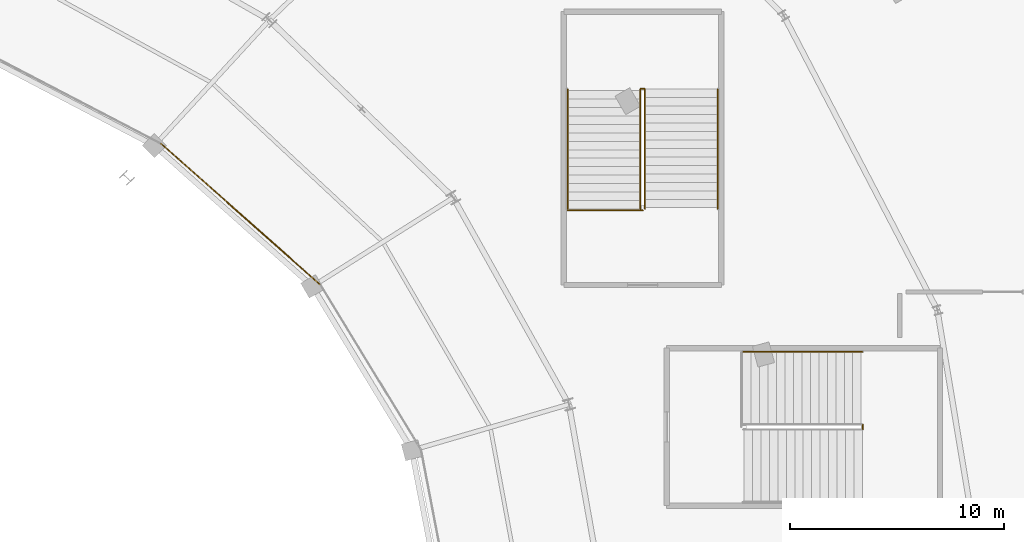
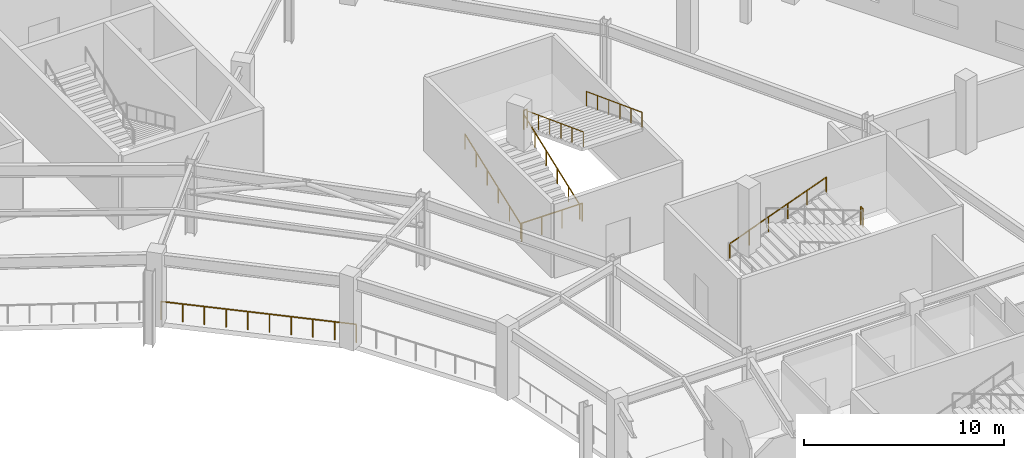
# One storey, part 106 of 107: 9 railings.
"""IFC4 building model written with IfcOpenShell, lengths in metres."""

from ifc_helpers import new_model, si_unit, direction, frame, origin, origin_2d, place, context, subcontext, project, spatial, circle, extrude, material, type_object, element, save


model = new_model("IFC4")

# Units and contexts
model_context = context("Model", 3, precision=1e-05, world=origin(), true_north=direction((0.0, 1.0)))
body_context = subcontext(model_context, "Body", "Model", "MODEL_VIEW")
ifc_project = project(units=[si_unit("LENGTHUNIT", "METRE"), si_unit("AREAUNIT", "SQUARE_METRE"), si_unit("VOLUMEUNIT", "CUBIC_METRE"), si_unit("PLANEANGLEUNIT", "RADIAN"), si_unit("MASSUNIT", "GRAM", prefix="KILO")], contexts=[model_context])

# Site, building, storey
site_placement = place(None, origin())
site = spatial("IfcSite", under=ifc_project, at=site_placement, CompositionType="ELEMENT")
building_placement = place(site_placement, origin())
building = spatial("IfcBuilding", under=site, at=building_placement, Name="Kalgoora Escarpment Arena", CompositionType="ELEMENT")
storey_placement = place(building_placement, frame((0.0, 0.0, 5.39990234375)))
storey = spatial("IfcBuildingStorey", under=building, at=storey_placement, Name="L01", CompositionType="ELEMENT", Elevation=5.39990234375)

# Railings
ifc_material_1 = material(Name="Galvanised & powdercoated tubular steel", Category="steel")
railing_type_1 = type_object("IfcRailingType", Name="RAL-GUARD-1120", PredefinedType="GUARDRAIL", material=ifc_material_1)
railing_1_placement = place(storey_placement, frame((158.280029296875, 73.405029296875, 2.25)))
element("IfcRailing", 1, at=railing_1_placement, inside=storey, type_object=railing_type_1, Name="ST21 L01 half-landing well guard", PredefinedType="GUARDRAIL", context=body_context, shape_type="SweptSolid", body=[
    extrude(circle(Radius=0.02392578125, at=origin_2d()), frame((0.0, 0.0, 1.09619140625), z_axis=(0.0, -1.0, 0.0), x_axis=(1.0, 0.0, 0.0)), (0.0, 0.0, 1.0), 0.2099609375),
    extrude(circle(Radius=0.02099609375, at=origin_2d()), origin(), (0.0, 0.0, 1.0), 1.072021484375),
    extrude(circle(Radius=0.02099609375, at=origin_2d()), frame((0.0, -0.2099609375, 0.0)), (0.0, 0.0, 1.0), 1.072021484375),
])
railing_2_placement = place(storey_placement, frame((147.905029296875, 89.080078125, 2.25)))
element("IfcRailing", 2, at=railing_2_placement, inside=storey, type_object=railing_type_1, Name="ST23 L01 half-landing well guard", PredefinedType="GUARDRAIL", context=body_context, shape_type="SweptSolid", body=[
    extrude(circle(Radius=0.02392578125, at=origin_2d()), frame((0.0, 0.0, 1.09619140625), z_axis=(1.0, 0.0, 0.0), x_axis=(0.0, 1.0, 0.0)), (0.0, 0.0, 1.0), 0.18994140625),
    extrude(circle(Radius=0.02099609375, at=origin_2d()), origin(), (0.0, 0.0, 1.0), 1.072021484375),
    extrude(circle(Radius=0.02099609375, at=origin_2d()), frame((0.18994140625, 0.0, 0.0)), (0.0, 0.0, 1.0), 1.072021484375),
])
railing_3_placement = place(storey_placement, frame((144.510009765625, 83.409912109375, 0.0)))
element("IfcRailing", 3, at=railing_3_placement, inside=storey, type_object=railing_type_1, Name="ST23 L01 floor landing well guard", PredefinedType="GUARDRAIL", context=body_context, shape_type="SweptSolid", body=[
    extrude(circle(Radius=0.02392578125, at=origin_2d()), frame((0.0, 0.0, 1.09619140625), z_axis=(1.0, 0.0, 0.0), x_axis=(0.0, 1.0, 0.0)), (0.0, 0.0, 1.0), 3.489990234375),
    extrude(circle(Radius=0.02099609375, at=origin_2d()), origin(), (0.0, 0.0, 1.0), 1.072021484375),
    extrude(circle(Radius=0.02099609375, at=origin_2d()), frame((1.163330078125, 0.0, 0.0)), (0.0, 0.0, 1.0), 1.072021484375),
    extrude(circle(Radius=0.02099609375, at=origin_2d()), frame((2.32666015625, 0.0, 0.0)), (0.0, 0.0, 1.0), 1.072021484375),
    extrude(circle(Radius=0.02099609375, at=origin_2d()), frame((3.489990234375, 0.0, 0.0)), (0.0, 0.0, 1.0), 1.072021484375),
])
railing_4_placement = place(storey_placement, frame((132.973388671875, 79.925048828125, 0.0)))
element("IfcRailing", 4, at=railing_4_placement, inside=storey, type_object=railing_type_1, Name="L01 concourse bowl balustrade 03", PredefinedType="GUARDRAIL", context=body_context, shape_type="SweptSolid", body=[
    extrude(circle(Radius=0.02392578125, at=origin_2d()), frame((0.0, 0.0, 1.09619140625), z_axis=(-0.748487582417, 0.663148806051, 0.0), x_axis=(-0.663148806051, -0.748487582417, 0.0)), (0.0, 0.0, 1.0), 9.947021484375),
    extrude(circle(Radius=0.02099609375, at=origin_2d()), origin(), (0.0, 0.0, 1.0), 1.072021484375),
    extrude(circle(Radius=0.02099609375, at=origin_2d()), frame((-0.8271484375, 0.73291015625, 0.0)), (0.0, 0.0, 1.0), 1.072021484375),
    extrude(circle(Radius=0.02099609375, at=origin_2d()), frame((-1.654541015625, 1.4658203125, 0.0)), (0.0, 0.0, 1.0), 1.072021484375),
    extrude(circle(Radius=0.02099609375, at=origin_2d()), frame((-2.481689453125, 2.19873046875, 0.0)), (0.0, 0.0, 1.0), 1.072021484375),
    extrude(circle(Radius=0.02099609375, at=origin_2d()), frame((-3.30908203125, 2.931640625, 0.0)), (0.0, 0.0, 1.0), 1.072021484375),
    extrude(circle(Radius=0.02099609375, at=origin_2d()), frame((-4.13623046875, 3.664794921875, 0.0)), (0.0, 0.0, 1.0), 1.072021484375),
    extrude(circle(Radius=0.02099609375, at=origin_2d()), frame((-4.963623046875, 4.397705078125, 0.0)), (0.0, 0.0, 1.0), 1.072021484375),
    extrude(circle(Radius=0.02099609375, at=origin_2d()), frame((-5.790771484375, 5.130615234375, 0.0)), (0.0, 0.0, 1.0), 1.072021484375),
    extrude(circle(Radius=0.02099609375, at=origin_2d()), frame((-6.6181640625, 5.863525390625, 0.0)), (0.0, 0.0, 1.0), 1.072021484375),
    extrude(circle(Radius=0.02099609375, at=origin_2d()), frame((-7.4453125, 6.596435546875, 0.0)), (0.0, 0.0, 1.0), 1.072021484375),
])
ifc_material_2 = material(Name="Brushed stainless steel 316 handrail", Category="steel")
railing_type_2 = type_object("IfcRailingType", Name="RAL-HAND-920", PredefinedType="HANDRAIL", material=ifc_material_2)
railing_5_placement = place(storey_placement, frame((152.68994140625, 76.800048828125, 0.110107421875)))
element("IfcRailing", 5, at=railing_5_placement, inside=storey, type_object=railing_type_2, Name="ST21 L01 pitched stair handrail F1L", PredefinedType="HANDRAIL", context=body_context, shape_type="SweptSolid", body=[
    extrude(circle(Radius=0.02392578125, at=origin_2d()), frame((0.0, 0.0, 0.89599609375), z_axis=(0.935492612948, 0.0, 0.353346248203), x_axis=(0.0, 1.0, 0.0)), (0.0, 0.0, 1.0), 5.943359375),
    extrude(circle(Radius=0.02099609375, at=origin_2d()), origin(), (0.0, 0.0, 1.0), 0.871826171875),
    extrude(circle(Radius=0.02099609375, at=origin_2d()), frame((1.112060546875, 0.0, 0.419921875)), (0.0, 0.0, 1.0), 0.871826171875),
    extrude(circle(Radius=0.02099609375, at=origin_2d()), frame((2.22412109375, 0.0, 0.840087890625)), (0.0, 0.0, 1.0), 0.871826171875),
    extrude(circle(Radius=0.02099609375, at=origin_2d()), frame((3.3359375, 0.0, 1.260009765625)), (0.0, 0.0, 1.0), 0.871826171875),
    extrude(circle(Radius=0.02099609375, at=origin_2d()), frame((4.447998046875, 0.0, 1.68017578125)), (0.0, 0.0, 1.0), 0.871826171875),
    extrude(circle(Radius=0.02099609375, at=origin_2d()), frame((5.56005859375, 0.0, 2.10009765625)), (0.0, 0.0, 1.0), 0.871826171875),
])
for number, where, name in (
    (6, (144.5, 83.489990234375, 0.110107421875), "ST23 L01 pitched stair handrail F1L"),
    (7, (147.89501953125, 83.489990234375, 0.110107421875), "ST23 L01 pitched stair handrail F1R"),
):
    element("IfcRailing", number, at=place(storey_placement, frame(where)), inside=storey, type_object=railing_type_2, Name=name, PredefinedType="HANDRAIL", context=body_context, shape_type="SweptSolid", body=[
        extrude(circle(Radius=0.02392578125, at=origin_2d()), frame((0.0, 0.0, 0.89599609375), z_axis=(0.0, 0.935492612948, 0.353346248203), x_axis=(-1.0, 0.0, 0.0)), (0.0, 0.0, 1.0), 5.943359375),
        extrude(circle(Radius=0.02099609375, at=origin_2d()), origin(), (0.0, 0.0, 1.0), 0.871826171875),
        extrude(circle(Radius=0.02099609375, at=origin_2d()), frame((0.0, 1.112060546875, 0.419921875)), (0.0, 0.0, 1.0), 0.871826171875),
        extrude(circle(Radius=0.02099609375, at=origin_2d()), frame((0.0, 2.22412109375, 0.840087890625)), (0.0, 0.0, 1.0), 0.871826171875),
        extrude(circle(Radius=0.02099609375, at=origin_2d()), frame((0.0, 3.3359375, 1.260009765625)), (0.0, 0.0, 1.0), 0.871826171875),
        extrude(circle(Radius=0.02099609375, at=origin_2d()), frame((0.0, 4.447998046875, 1.68017578125)), (0.0, 0.0, 1.0), 0.871826171875),
        extrude(circle(Radius=0.02099609375, at=origin_2d()), frame((0.0, 5.56005859375, 2.10009765625)), (0.0, 0.0, 1.0), 0.871826171875),
    ])
for number, where, name in (
    (8, (148.10498046875, 89.050048828125, 2.360107421875), "ST23 L01 pitched stair handrail F2L"),
    (9, (151.5, 89.050048828125, 2.360107421875), "ST23 L01 pitched stair handrail F2R"),
):
    element("IfcRailing", number, at=place(storey_placement, frame(where)), inside=storey, type_object=railing_type_2, Name=name, PredefinedType="HANDRAIL", context=body_context, shape_type="SweptSolid", body=[
        extrude(circle(Radius=0.02392578125, at=origin_2d()), frame((0.0, 0.0, 0.89599609375), z_axis=(0.0, -0.935492612948, 0.353346248203), x_axis=(1.0, 0.0, 0.0)), (0.0, 0.0, 1.0), 5.943359375),
        extrude(circle(Radius=0.02099609375, at=origin_2d()), origin(), (0.0, 0.0, 1.0), 0.871826171875),
        extrude(circle(Radius=0.02099609375, at=origin_2d()), frame((0.0, -1.112060546875, 0.419921875)), (0.0, 0.0, 1.0), 0.871826171875),
        extrude(circle(Radius=0.02099609375, at=origin_2d()), frame((0.0, -2.22412109375, 0.840087890625)), (0.0, 0.0, 1.0), 0.871826171875),
        extrude(circle(Radius=0.02099609375, at=origin_2d()), frame((0.0, -3.3359375, 1.260009765625)), (0.0, 0.0, 1.0), 0.871826171875),
        extrude(circle(Radius=0.02099609375, at=origin_2d()), frame((0.0, -4.447998046875, 1.68017578125)), (0.0, 0.0, 1.0), 0.871826171875),
        extrude(circle(Radius=0.02099609375, at=origin_2d()), frame((0.0, -5.56005859375, 2.10009765625)), (0.0, 0.0, 1.0), 0.871826171875),
    ])

save(model, "model.ifc")
